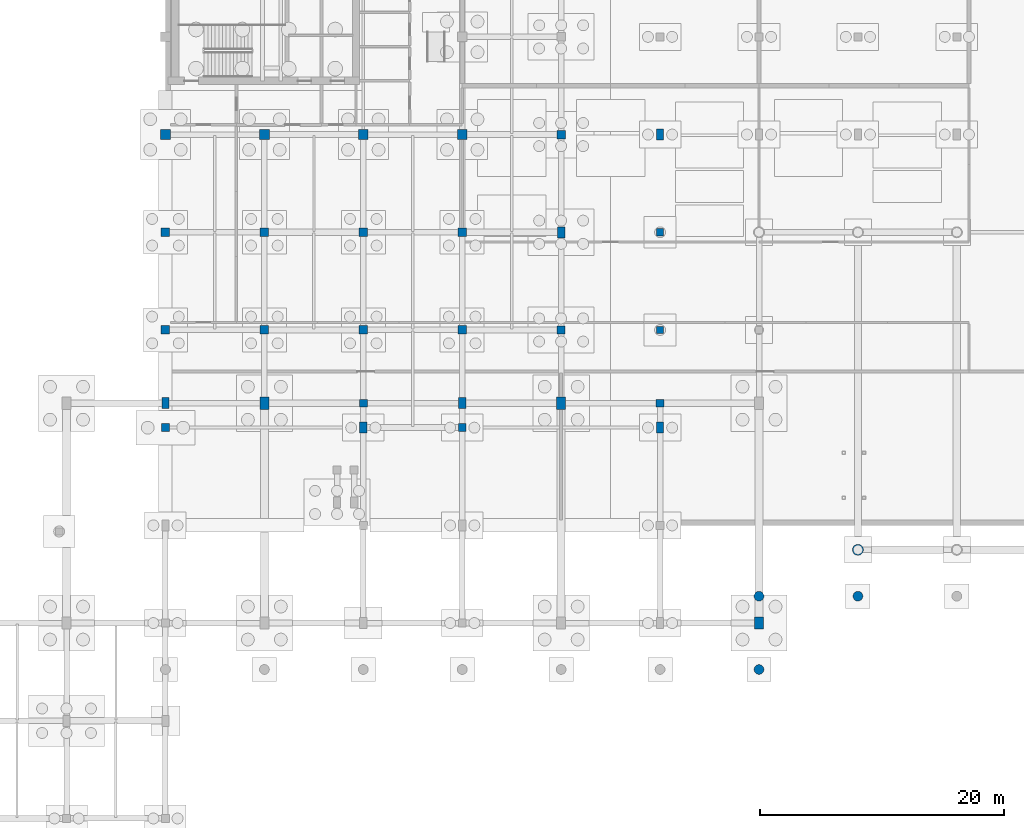
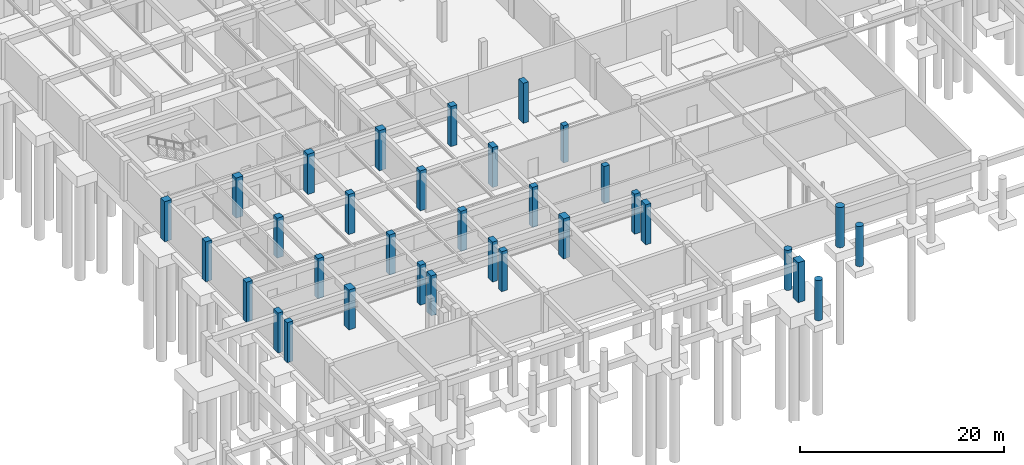
# One storey, part 7 of 25: 33 columns.
"""IFC4 building model written with IfcOpenShell, lengths in metres."""

import ifcopenshell
import ifcopenshell.guid

model = None  # the IFC model being written
_history = None  # IfcOwnerHistory: only IFC2X3 demands one
_inside = {}  # id of a spatial element -> (the spatial element, [elements in it])
_under = {}  # id of a project, library or spatial element -> (it, [spatial elements below it])
_declared = {}  # id of a project -> (the project, [libraries it declares])
_typed = {}  # id of a type object -> (the type object, [elements of that type])
_made_of = {}  # id of a material, layer set ... -> (it, [elements and type objects made of it])


def new_model(schema):
    """Start an empty IFC model of exactly this schema.

    Asked for "IFC4X3", IfcOpenShell would pick the latest addendum, in which some entities
    have other attributes; the version numbers below select the first issue.
    IFC2X3 requires an IfcOwnerHistory on every rooted entity: one is made here for all.
    """
    global model, _history
    if schema == "IFC4X3":
        model = ifcopenshell.file(schema_version=(4, 3, 0, 0))
    else:
        model = ifcopenshell.file(schema=schema)
    _inside.clear()
    _under.clear()
    _declared.clear()
    _typed.clear()
    _made_of.clear()
    _history = None
    if model.schema == "IFC2X3":
        org = make("IfcOrganization", Name="unknown")
        user = make(
            "IfcPersonAndOrganization",
            ThePerson=make("IfcPerson", FamilyName="unknown"),
            TheOrganization=org,
        )
        app = make(
            "IfcApplication",
            ApplicationDeveloper=org,
            Version="unknown",
            ApplicationFullName="unknown",
            ApplicationIdentifier="unknown",
        )
        _history = make(
            "IfcOwnerHistory",
            OwningUser=user,
            OwningApplication=app,
            ChangeAction="ADDED",
            CreationDate=0,
        )
    return model


def make(cls, **values):
    """One entity of the class cls with the attributes given. An attribute that is None is left unset."""
    return model.create_entity(
        cls, **{name: value for name, value in values.items() if value is not None}
    )


def rooted(cls, **values):
    """An entity with a GlobalId (a new one), such as an element, a storey or a relation."""
    return make(cls, GlobalId=ifcopenshell.guid.new(), OwnerHistory=_history, **values)


def si_unit(unit_type, name, prefix=None):
    """IfcSIUnit, for example si_unit("LENGTHUNIT", "METRE", prefix="MILLI")."""
    return make("IfcSIUnit", UnitType=unit_type, Prefix=prefix, Name=name)


def assignment(units):
    """IfcUnitAssignment: the units of a project."""
    return None if units is None else make("IfcUnitAssignment", Units=units)


def point(xyz):
    """IfcCartesianPoint."""
    return None if xyz is None else make("IfcCartesianPoint", Coordinates=xyz)


def direction(xyz):
    """IfcDirection."""
    return None if xyz is None else make("IfcDirection", DirectionRatios=xyz)


def frame(location, z_axis=None, x_axis=None):
    """IfcAxis2Placement3D, a coordinate frame: its origin and axes. An axis left out is left unset."""
    return make(
        "IfcAxis2Placement3D",
        Location=point(location),
        Axis=direction(z_axis),
        RefDirection=direction(x_axis),
    )


def frame_2d(location, x_axis=None):
    """IfcAxis2Placement2D, a coordinate frame in the plane: its origin and x axis."""
    return make(
        "IfcAxis2Placement2D", Location=point(location), RefDirection=direction(x_axis)
    )


def origin():
    """The frame at (0, 0, 0) with its axes left unset."""
    return frame((0.0, 0.0, 0.0))


def origin_2d():
    """The frame at (0, 0) in the plane with its x axis left unset."""
    return frame_2d((0.0, 0.0))


def place(relative_to, where):
    """IfcLocalPlacement: puts the frame where relative to a parent placement (None: the world)."""
    return make(
        "IfcLocalPlacement", PlacementRelTo=relative_to, RelativePlacement=where
    )


def context(
    kind, dimensions, precision=None, world=None, true_north=None, identifier=None
):
    """IfcGeometricRepresentationContext, for example the 3D "Model" context."""
    return make(
        "IfcGeometricRepresentationContext",
        ContextIdentifier=identifier,
        ContextType=kind,
        CoordinateSpaceDimension=dimensions,
        Precision=precision,
        WorldCoordinateSystem=world,
        TrueNorth=true_north,
    )


def subcontext(parent, identifier, kind, view, scale=None):
    """IfcGeometricRepresentationSubContext, for example "Body" below "Model"."""
    return make(
        "IfcGeometricRepresentationSubContext",
        ContextIdentifier=identifier,
        ContextType=kind,
        ParentContext=parent,
        TargetScale=scale,
        TargetView=view,
    )


def project(units=None, contexts=None):
    """IfcProject with its units and contexts."""
    return rooted(
        "IfcProject",
        Name="project",
        RepresentationContexts=contexts,
        UnitsInContext=assignment(units),
    )


def spatial(cls, under=None, at=None, **own):
    """A site, building, storey or space (cls), placed at a placement, below another one or the project."""
    s = rooted(cls, ObjectPlacement=at, **own)
    if under is not None:
        _under.setdefault(under.id(), (under, []))[1].append(s)
    return s


def profile(cls, at=None, kind="AREA", **sizes):
    """A parametric profile (cls). Its sizes go by their IFC names, for example OverallWidth=200.0."""
    return make(cls, ProfileType=kind, Position=at, **sizes)


def rectangle(**sizes):
    """IfcRectangleProfileDef."""
    return profile("IfcRectangleProfileDef", **sizes)


def circle(**sizes):
    """IfcCircleProfileDef."""
    return profile("IfcCircleProfileDef", **sizes)


def extrude(swept, where, along, depth):
    """IfcExtrudedAreaSolid: the profile swept, set in the frame where, extruded along a direction by depth."""
    return make(
        "IfcExtrudedAreaSolid",
        SweptArea=swept,
        Position=where,
        ExtrudedDirection=direction(along),
        Depth=depth,
    )


def shape(context_of_items, identifier, shape_type, items):
    """IfcShapeRepresentation: the items that make up one representation, for example the "Body"."""
    return make(
        "IfcShapeRepresentation",
        ContextOfItems=context_of_items,
        RepresentationIdentifier=identifier,
        RepresentationType=shape_type,
        Items=items,
    )


def material(Name=None, Category=None):
    """IfcMaterial."""
    return make("IfcMaterial", Name=Name, Category=Category)


def material_profile(
    of_material, cross_section, Name=None, Category=None, Priority=None
):
    """IfcMaterialProfile: a cross section and its material."""
    return make(
        "IfcMaterialProfile",
        Name=Name,
        Material=of_material,
        Profile=cross_section,
        Priority=Priority,
        Category=Category,
    )


def profile_set(profiles, Name=None, composite=None):
    """IfcMaterialProfileSet."""
    return make(
        "IfcMaterialProfileSet",
        Name=Name,
        MaterialProfiles=profiles,
        CompositeProfile=composite,
    )


def made_of(thing, what):
    """Note that an element or type object is made of a material, layer set ...; save() writes the relation."""
    if what is not None:
        _made_of.setdefault(what.id(), (what, []))[1].append(thing)
    return thing


def type_object(cls, material=None, **own):
    """A type object (cls), such as IfcWallType, which elements share."""
    return made_of(rooted(cls, **own), material)


def element(
    cls,
    number,
    at=None,
    inside=None,
    cuts=None,
    type_object=None,
    material=None,
    context=None,
    identifier="Body",
    shape_type=None,
    held_by="IfcProductDefinitionShape",
    body=None,
    shapes=None,
    **own,
):
    """One element of the class cls, such as IfcWall. Its Tag is "e" and its number.

    at: its placement. inside: the storey or other place that contains it. cuts: it is an
    opening in that element (IfcRelVoidsElement). A single representation is given by context,
    identifier, shape_type and body (its items); several are given by shapes. held_by: the class
    of the entity that holds the representations. save() writes the other relations.
    """
    e = rooted(cls, Tag="e%d" % number, ObjectPlacement=at, **own)
    if body is not None:
        shapes = [shape(context, identifier, shape_type, body)]
    if shapes is not None:
        e.Representation = make(held_by, Representations=shapes)
    if inside is not None:
        _inside.setdefault(inside.id(), (inside, []))[1].append(e)
    if cuts is not None:
        rooted(
            "IfcRelVoidsElement", RelatingBuildingElement=cuts, RelatedOpeningElement=e
        )
    if type_object is not None:
        _typed.setdefault(type_object.id(), (type_object, []))[1].append(e)
    return made_of(e, material)


def aggregate(whole, parts):
    """IfcRelAggregates: a whole, such as a stair, and the parts it consists of."""
    return rooted("IfcRelAggregates", RelatingObject=whole, RelatedObjects=parts)


def save(model, path):
    """Write the relations noted so far, then the file.

    IfcRelAggregates (storeys below a building ...), IfcRelContainedInSpatialStructure (elements
    in a storey), IfcRelDefinesByType, IfcRelAssociatesMaterial and IfcRelDeclares: one each for
    every whole, place, type object, material and project.
    """
    for whole, parts in _under.values():
        aggregate(whole, parts)
    for where, things in _inside.values():
        rooted(
            "IfcRelContainedInSpatialStructure",
            RelatedElements=things,
            RelatingStructure=where,
        )
    for kind, things in _typed.values():
        rooted("IfcRelDefinesByType", RelatedObjects=things, RelatingType=kind)
    for what, things in _made_of.values():
        rooted("IfcRelAssociatesMaterial", RelatedObjects=things, RelatingMaterial=what)
    for by, libraries in _declared.values():
        rooted("IfcRelDeclares", RelatingContext=by, RelatedDefinitions=libraries)
    model.write(path)


model = new_model("IFC4")

# Units and contexts
model_context = context("Model", 3, precision=1e-05, world=origin(), true_north=direction((0.0, 1.0)))
body_context = subcontext(model_context, "Body", "Model", "MODEL_VIEW")
ifc_project = project(units=[si_unit("LENGTHUNIT", "METRE"), si_unit("AREAUNIT", "SQUARE_METRE"), si_unit("VOLUMEUNIT", "CUBIC_METRE"), si_unit("PLANEANGLEUNIT", "RADIAN"), si_unit("MASSUNIT", "GRAM", prefix="KILO")], contexts=[model_context])

# Site, building, storey
site_placement = place(None, origin())
site = spatial("IfcSite", under=ifc_project, at=site_placement, CompositionType="ELEMENT")
building_placement = place(site_placement, origin())
building = spatial("IfcBuilding", under=site, at=building_placement, Name="Tarnveldt Square Police Headquarters", CompositionType="ELEMENT")
storey_placement = place(building_placement, frame((0.0, 0.0, -4.800048828125)))
storey = spatial("IfcBuildingStorey", under=building, at=storey_placement, Name="B1", CompositionType="ELEMENT", Elevation=-4.800048828125)

# Columns
ifc_material_1 = material(Name="Concrete 40 MPa", Category="concrete")
ifc_material_profile_1 = material_profile(ifc_material_1, circle(Radius=0.39990234375, at=origin_2d()), Name="RC-D800")
ifc_profile_set_1 = profile_set([ifc_material_profile_1], Name="Concrete 40 MPa")
column_type_1 = type_object("IfcColumnType", Name="COL-D800", PredefinedType="COLUMN", material=ifc_profile_set_1)
for number, where, z_axis, x_axis, name in (
    (1, (64.800048828125, 12.199951171875, 0.0), (0.0, 0.0, 1.0), (1.0, 0.0, 0.0), "Colonnade Foundation Pier 7"),
    (2, (64.800048828125, 18.199951171875, 0.0), (0.0, 0.0, 1.0), (1.0, 0.0, 0.0), "Colonnade Foundation Pier 8"),
    (3, (72.89990234375, 18.199951171875, 0.0), (0.0, 0.0, 1.0), (1.0, 0.0, 0.0), "Colonnade Foundation Pier 9"),
):
    element("IfcColumn", number, at=place(storey_placement, frame(where, z_axis=z_axis, x_axis=x_axis)), inside=storey, type_object=column_type_1, Name=name, PredefinedType="COLUMN", context=body_context, shape_type="SweptSolid", body=[
        extrude(circle(Radius=0.39990234375, at=origin_2d()), origin(), (0.0, 0.0, 1.0), 4.800048828125),
    ])
ifc_material_2 = material(Name="Concrete 50 MPa", Category="concrete")
ifc_material_profile_2 = material_profile(ifc_material_2, circle(Radius=0.449951171875, at=origin_2d()), Name="RC-D900")
ifc_profile_set_2 = profile_set([ifc_material_profile_2], Name="Concrete 50 MPa")
column_type_2 = type_object("IfcColumnType", Name="COL-D900", PredefinedType="COLUMN", material=ifc_profile_set_2)
column_placement = place(storey_placement, frame((72.89990234375, 22.0, 0.0), z_axis=(0.0, 0.0, 1.0), x_axis=(1.0, 0.0, 0.0)))
element("IfcColumn", 4, at=column_placement, inside=storey, type_object=column_type_2, Name="B1 Column 107", PredefinedType="COLUMN", context=body_context, shape_type="SweptSolid", body=[
    extrude(circle(Radius=0.449951171875, at=origin_2d()), origin(), (0.0, 0.0, 1.0), 4.800048828125),
])
ifc_material_profile_3 = material_profile(ifc_material_1, rectangle(XDim=0.60009765625, YDim=0.60009765625, at=origin_2d()), Name="RC-C600x600")
ifc_profile_set_3 = profile_set([ifc_material_profile_3], Name="Concrete 40 MPa")
column_type_3 = type_object("IfcColumnType", Name="COL-RC600", PredefinedType="COLUMN", material=ifc_profile_set_3)
for number, where, z_axis, x_axis, name in (
    (5, (56.699951171875, 40.0, 0.0), (0.0, 0.0, 1.0), (1.0, 0.0, 0.0), "B1 Column 085"),
    (6, (56.699951171875, 48.0, 0.0), (0.0, 0.0, 1.0), (1.0, 0.0, 0.0), "B1 Column 086"),
):
    element("IfcColumn", number, at=place(storey_placement, frame(where, z_axis=z_axis, x_axis=x_axis)), inside=storey, type_object=column_type_3, Name=name, PredefinedType="COLUMN", context=body_context, shape_type="SweptSolid", body=[
        extrude(rectangle(XDim=0.60009765625, YDim=0.60009765625, at=origin_2d()), origin(), (0.0, 0.0, 1.0), 4.449951171875),
    ])
ifc_material_profile_4 = material_profile(ifc_material_2, rectangle(XDim=0.60009765625, YDim=0.89990234375, at=origin_2d()), Name="RC-C600x900")
ifc_profile_set_4 = profile_set([ifc_material_profile_4], Name="Concrete 50 MPa")
column_type_4 = type_object("IfcColumnType", Name="COL-RC600x900", PredefinedType="COLUMN", material=ifc_profile_set_4)
for number, where, z_axis, x_axis, name in (
    (7, (16.199951171875, 34.0, 0.0), (0.0, 0.0, 1.0), (1.0, 0.0, 0.0), "B1 Column 017"),
    (8, (32.39990234375, 32.0, 0.0), (0.0, 0.0, 1.0), (1.0, 0.0, 0.0), "B1 Column 045"),
    (9, (40.5, 34.0, 0.0), (0.0, 0.0, 1.0), (1.0, 0.0, 0.0), "B1 Column 059"),
    (10, (48.60009765625, 48.0, 0.0), (0.0, 0.0, 1.0), (1.0, 0.0, 0.0), "B1 Column 073"),
    (11, (56.699951171875, 32.0, 0.0), (0.0, 0.0, 1.0), (1.0, 0.0, 0.0), "B1 Column 083"),
    (12, (56.699951171875, 56.0, 0.0), (0.0, 0.0, 1.0), (1.0, 0.0, 0.0), "B1 Column 087"),
):
    element("IfcColumn", number, at=place(storey_placement, frame(where, z_axis=z_axis, x_axis=x_axis)), inside=storey, type_object=column_type_4, Name=name, PredefinedType="COLUMN", context=body_context, shape_type="SweptSolid", body=[
        extrude(rectangle(XDim=0.60009765625, YDim=0.89990234375, at=origin_2d()), origin(), (0.0, 0.0, 1.0), 4.800048828125),
    ])
ifc_material_profile_5 = material_profile(ifc_material_2, rectangle(XDim=0.64990234375, YDim=0.64990234375, at=origin_2d()), Name="RC-C650x650")
ifc_profile_set_5 = profile_set([ifc_material_profile_5], Name="Concrete 50 MPa")
column_type_5 = type_object("IfcColumnType", Name="COL-RC650", PredefinedType="COLUMN", material=ifc_profile_set_5)
for number, where, z_axis, x_axis, name in (
    (13, (16.199951171875, 32.0, 0.0), (0.0, 0.0, 1.0), (1.0, 0.0, 0.0), "B1 Column 016"),
    (14, (32.39990234375, 34.0, 0.0), (0.0, 0.0, 1.0), (1.0, 0.0, 0.0), "B1 Column 046"),
    (15, (40.5, 32.0, 0.0), (0.0, 0.0, 1.0), (1.0, 0.0, 0.0), "B1 Column 058"),
    (16, (48.60009765625, 40.0, 0.0), (0.0, 0.0, 1.0), (1.0, 0.0, 0.0), "B1 Column 072"),
    (17, (56.699951171875, 34.0, 0.0), (0.0, 0.0, 1.0), (1.0, 0.0, 0.0), "B1 Column 084"),
):
    element("IfcColumn", number, at=place(storey_placement, frame(where, z_axis=z_axis, x_axis=x_axis)), inside=storey, type_object=column_type_5, Name=name, PredefinedType="COLUMN", context=body_context, shape_type="SweptSolid", body=[
        extrude(rectangle(XDim=0.64990234375, YDim=0.64990234375, at=origin_2d()), origin(), (0.0, 0.0, 1.0), 4.800048828125),
    ])
ifc_material_profile_6 = material_profile(ifc_material_2, rectangle(XDim=0.699951171875, YDim=0.699951171875, at=origin_2d()), Name="RC-C700x700")
ifc_profile_set_6 = profile_set([ifc_material_profile_6], Name="Concrete 50 MPa")
column_type_6 = type_object("IfcColumnType", Name="COL-RC700", PredefinedType="COLUMN", material=ifc_profile_set_6)
for number, where, z_axis, x_axis, name in (
    (18, (16.199951171875, 40.0, 0.0), (0.0, 0.0, 1.0), (1.0, 0.0, 0.0), "B1 Column 018"),
    (19, (16.199951171875, 48.0, 0.0), (0.0, 0.0, 1.0), (1.0, 0.0, 0.0), "B1 Column 019"),
    (20, (24.300048828125, 40.0, 0.0), (0.0, 0.0, 1.0), (1.0, 0.0, 0.0), "B1 Column 031"),
    (21, (24.300048828125, 48.0, 0.0), (0.0, 0.0, 1.0), (1.0, 0.0, 0.0), "B1 Column 032"),
    (22, (32.39990234375, 40.0, 0.0), (0.0, 0.0, 1.0), (1.0, 0.0, 0.0), "B1 Column 047"),
    (23, (32.39990234375, 48.0, 0.0), (0.0, 0.0, 1.0), (1.0, 0.0, 0.0), "B1 Column 048"),
    (24, (40.5, 40.0, 0.0), (0.0, 0.0, 1.0), (1.0, 0.0, 0.0), "B1 Column 060"),
    (25, (40.5, 48.0, 0.0), (0.0, 0.0, 1.0), (1.0, 0.0, 0.0), "B1 Column 061"),
    (26, (48.60009765625, 56.0, 0.0), (0.0, 0.0, 1.0), (1.0, 0.0, 0.0), "B1 Column 074"),
):
    element("IfcColumn", number, at=place(storey_placement, frame(where, z_axis=z_axis, x_axis=x_axis)), inside=storey, type_object=column_type_6, Name=name, PredefinedType="COLUMN", context=body_context, shape_type="SweptSolid", body=[
        extrude(rectangle(XDim=0.699951171875, YDim=0.699951171875, at=origin_2d()), origin(), (0.0, 0.0, 1.0), 4.800048828125),
    ])
ifc_material_profile_7 = material_profile(ifc_material_2, rectangle(XDim=0.75, YDim=1.0, at=origin_2d()), Name="RC-C750x1000")
ifc_profile_set_7 = profile_set([ifc_material_profile_7], Name="Concrete 50 MPa")
column_type_7 = type_object("IfcColumnType", Name="COL-RC750x1000", PredefinedType="COLUMN", material=ifc_profile_set_7)
for number, where, z_axis, x_axis, name in (
    (27, (24.300048828125, 34.0, 0.0), (0.0, 0.0, 1.0), (1.0, 0.0, 0.0), "B1 Column 030"),
    (28, (48.60009765625, 34.0, 0.0), (0.0, 0.0, 1.0), (1.0, 0.0, 0.0), "B1 Column 071"),
    (29, (64.800048828125, 16.0, 0.0), (0.0, 0.0, 1.0), (1.0, 0.0, 0.0), "B1 Column 095"),
):
    element("IfcColumn", number, at=place(storey_placement, frame(where, z_axis=z_axis, x_axis=x_axis)), inside=storey, type_object=column_type_7, Name=name, PredefinedType="COLUMN", context=body_context, shape_type="SweptSolid", body=[
        extrude(rectangle(XDim=0.75, YDim=1.0, at=origin_2d()), origin(), (0.0, 0.0, 1.0), 4.800048828125),
    ])
ifc_material_profile_8 = material_profile(ifc_material_2, rectangle(XDim=0.800048828125, YDim=0.800048828125, at=origin_2d()), Name="RC-C800x800")
ifc_profile_set_8 = profile_set([ifc_material_profile_8], Name="Concrete 50 MPa")
column_type_8 = type_object("IfcColumnType", Name="COL-RC800", PredefinedType="COLUMN", material=ifc_profile_set_8)
for number, where, z_axis, x_axis, name in (
    (30, (16.199951171875, 56.0, 0.0), (0.0, 0.0, 1.0), (1.0, 0.0, 0.0), "B1 Column 020"),
    (31, (24.300048828125, 56.0, 0.0), (0.0, 0.0, 1.0), (1.0, 0.0, 0.0), "B1 Column 033"),
    (32, (32.39990234375, 56.0, 0.0), (0.0, 0.0, 1.0), (1.0, 0.0, 0.0), "B1 Column 049"),
    (33, (40.5, 56.0, 0.0), (0.0, 0.0, 1.0), (1.0, 0.0, 0.0), "B1 Column 062"),
):
    element("IfcColumn", number, at=place(storey_placement, frame(where, z_axis=z_axis, x_axis=x_axis)), inside=storey, type_object=column_type_8, Name=name, PredefinedType="COLUMN", context=body_context, shape_type="SweptSolid", body=[
        extrude(rectangle(XDim=0.800048828125, YDim=0.800048828125, at=origin_2d()), origin(), (0.0, 0.0, 1.0), 4.800048828125),
    ])

save(model, "model.ifc")
